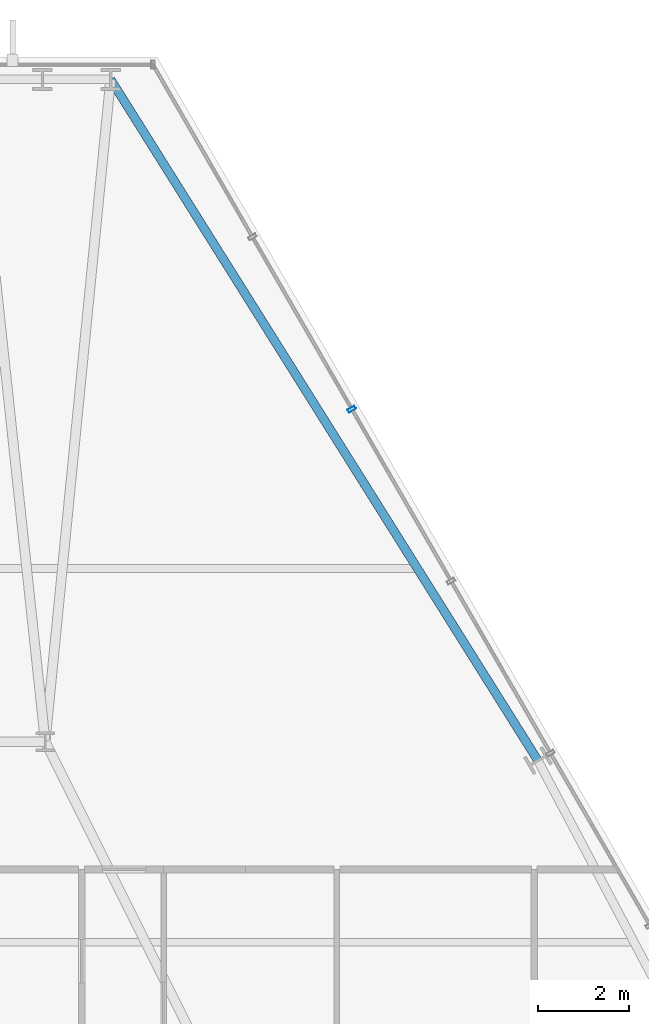
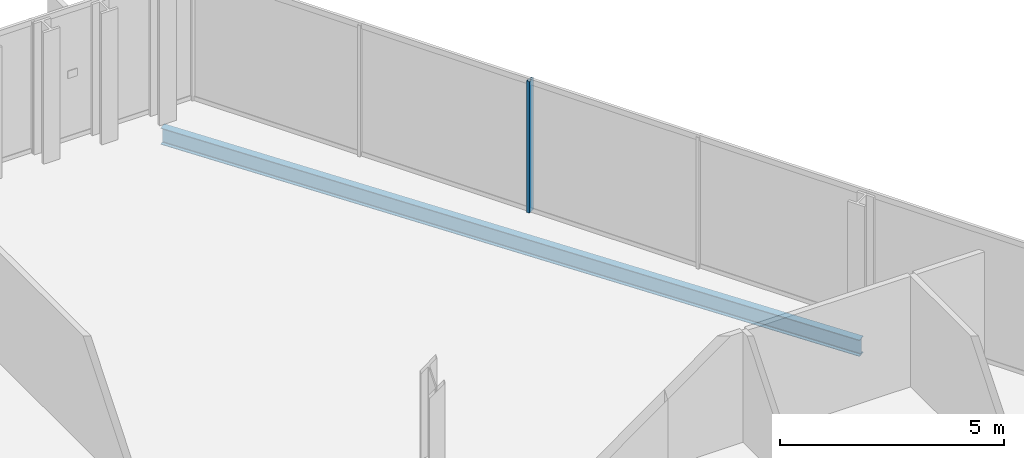
# One storey, part 23 of 32: 1 beam, 1 member, 1 element without a shape of its own.
"""IFC4 building model written with IfcOpenShell, lengths in metres."""

from ifc_helpers import new_model, si_unit, direction, frame, origin, origin_2d, place, context, subcontext, project, spatial, hollow_rectangle, i_section, extrude, material, layer, layer_set, material_profile, profile_set, type_object, element, aggregate, save


model = new_model("IFC4")

# Units and contexts
model_context = context("Model", 3, precision=1e-05, world=origin(), true_north=direction((0.0, 1.0)))
body_context = subcontext(model_context, "Body", "Model", "MODEL_VIEW")
ifc_project = project(units=[si_unit("LENGTHUNIT", "METRE"), si_unit("AREAUNIT", "SQUARE_METRE"), si_unit("VOLUMEUNIT", "CUBIC_METRE"), si_unit("PLANEANGLEUNIT", "RADIAN"), si_unit("MASSUNIT", "GRAM", prefix="KILO")], contexts=[model_context])

# Site, building, storey
site_placement = place(None, origin())
site = spatial("IfcSite", under=ifc_project, at=site_placement, CompositionType="ELEMENT")
building_placement = place(site_placement, origin())
building = spatial("IfcBuilding", under=site, at=building_placement, Name="Ndaravel Arena Tower", CompositionType="ELEMENT")
storey_placement = place(building_placement, frame((0.0, 0.0, 130.800048828125)))
storey = spatial("IfcBuildingStorey", under=building, at=storey_placement, Name="L30", CompositionType="ELEMENT", Elevation=130.800048828125)

# Beam
ifc_material_1 = material(Name="Steel S355", Category="steel")
ifc_material_profile_1 = material_profile(ifc_material_1, i_section(OverallWidth=0.18994140625, OverallDepth=0.449951171875, WebThickness=0.009521484375, FlangeThickness=0.0146484375, FilletRadius=0.02099609375, at=origin_2d()), Name="IPE 450")
ifc_profile_set_1 = profile_set([ifc_material_profile_1], Name="Steel S355")
beam_type = type_object("IfcBeamType", Name="BM-SPAN-IPE450", PredefinedType="SPANDREL", material=ifc_profile_set_1)
beam_placement = place(storey_placement, frame((56.61181640625, 30.78857421875, -0.445068359375), z_axis=(-0.531434619656, 0.847099312378, 0.0), x_axis=(-0.847099312378, -0.531434619656, 0.0)))
element("IfcBeam", 1, at=beam_placement, inside=storey, type_object=beam_type, Name="L30 Perimeter Spandrel Beam SP-10", PredefinedType="SPANDREL", context=body_context, shape_type="SweptSolid", body=[
    extrude(i_section(OverallWidth=0.18994140625, OverallDepth=0.449951171875, WebThickness=0.009521484375, FlangeThickness=0.0146484375, FilletRadius=0.02099609375, at=origin_2d()), origin(), (0.0, 0.0, 1.0), 17.6455078125),
])

# Curtain wall, member
ifc_material_2 = material(Name="Aluminium", Category="aluminium")
ifc_layer = layer(ifc_material_2, 0.179931640625)
ifc_layer_set = layer_set([ifc_layer], Name="Aluminium")
curtain_wall_type = type_object("IfcCurtainWallType", Name="CW-SYS-03", PredefinedType="NOTDEFINED", material=ifc_layer_set)
curtain_wall_placement = place(storey_placement, origin())
curtain_wall = element("IfcCurtainWall", 2, at=curtain_wall_placement, inside=storey, type_object=curtain_wall_type, Name="L30 Faceted Crystal Curtain Wall CW-L30-E03", PredefinedType="NOTDEFINED")
ifc_material_3 = material(Name="Aluminium", Category="aluminium")
ifc_material_profile_2 = material_profile(ifc_material_3, hollow_rectangle(XDim=0.074951171875, YDim=0.179931640625, WallThickness=0.00390625, at=origin_2d()), Name="CW MULLION 75x180x4")
ifc_profile_set_2 = profile_set([ifc_material_profile_2], Name="Aluminium")
member_type = type_object("IfcMemberType", Name="MEM-CW-MUL180", PredefinedType="MULLION", material=ifc_profile_set_2)
member_placement = place(storey_placement, frame((52.52783203125, 38.502197265625, 0.0), z_axis=(0.0, 0.0, 1.0), x_axis=(-0.5, 0.866025403784, 0.0)))
member = element("IfcMember", 3, at=member_placement, type_object=member_type, Name="CW-L30-E03 Mullion 06", PredefinedType="MULLION", context=body_context, shape_type="SweptSolid", body=[
    extrude(hollow_rectangle(XDim=0.074951171875, YDim=0.179931640625, WallThickness=0.00390625, at=origin_2d()), origin(), (0.0, 0.0, 1.0), 3.579833984375),
])
aggregate(curtain_wall, [member])

save(model, "model.ifc")
